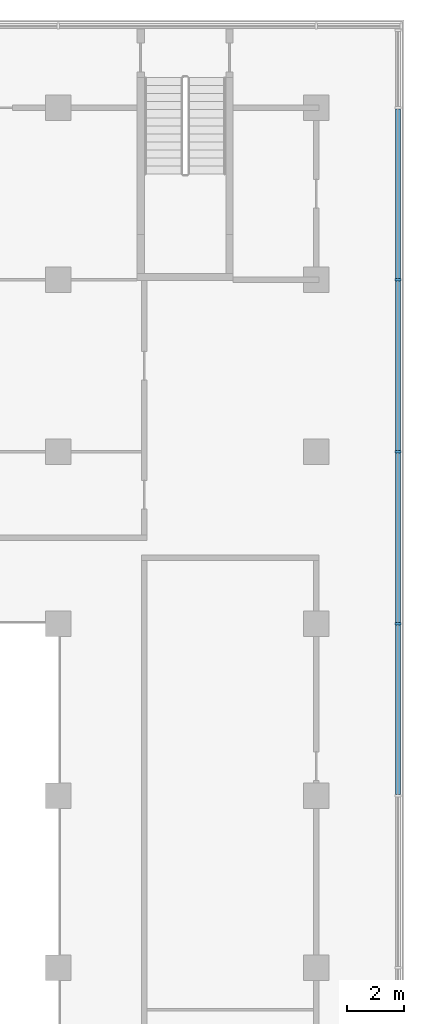
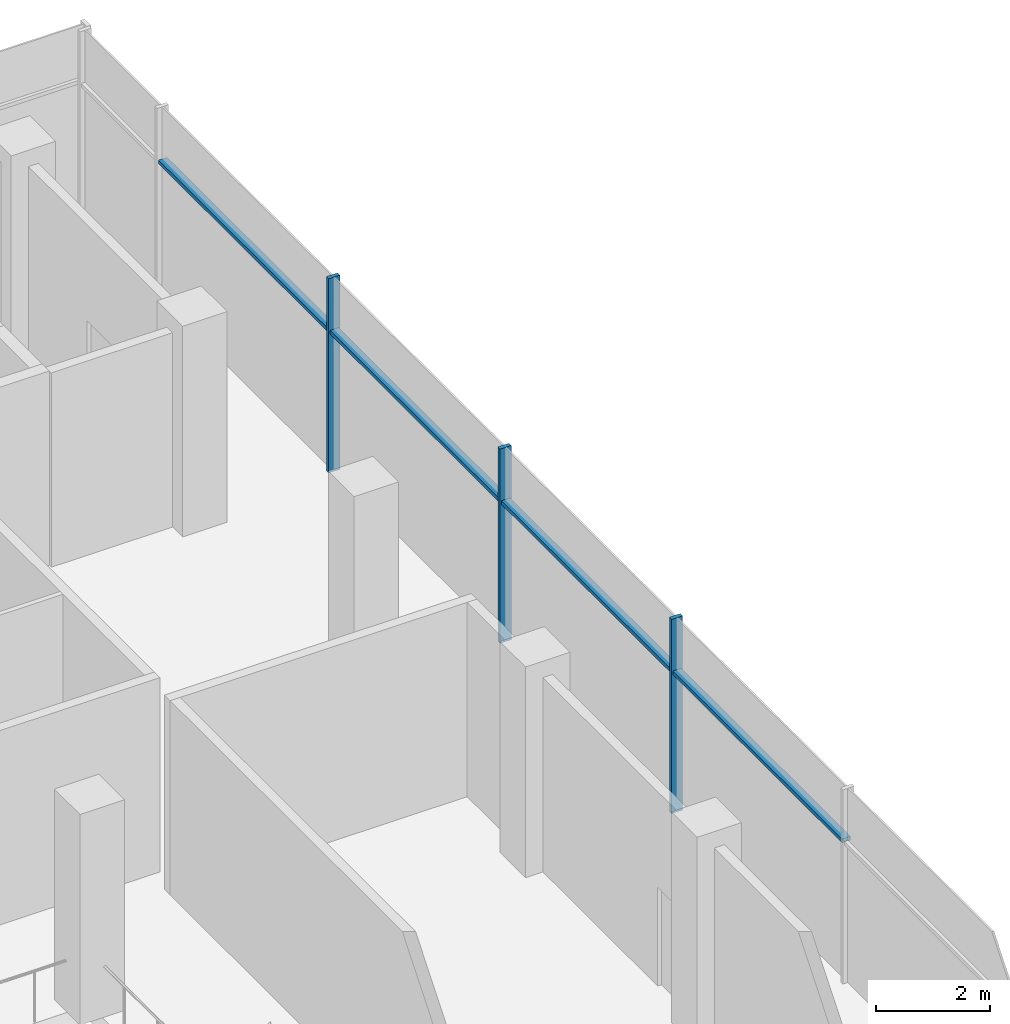
# One storey, part 6 of 22: 7 members, 1 element without a shape of its own.
"""IFC4 building model written with IfcOpenShell, lengths in metres."""

from ifc_helpers import new_model, si_unit, direction, frame, origin, origin_2d, place, context, subcontext, project, spatial, rectangle, extrude, material, material_profile, profile_set, type_object, element, aggregate, save


model = new_model("IFC4")

# Units and contexts
model_context = context("Model", 3, precision=1e-05, world=origin(), true_north=direction((0.0, 1.0)))
body_context = subcontext(model_context, "Body", "Model", "MODEL_VIEW")
ifc_project = project(units=[si_unit("LENGTHUNIT", "METRE"), si_unit("AREAUNIT", "SQUARE_METRE"), si_unit("VOLUMEUNIT", "CUBIC_METRE"), si_unit("PLANEANGLEUNIT", "RADIAN"), si_unit("MASSUNIT", "GRAM", prefix="KILO")], contexts=[model_context])

# Site, building, storey
site_placement = place(None, origin())
site = spatial("IfcSite", under=ifc_project, at=site_placement, CompositionType="ELEMENT")
building_placement = place(site_placement, origin())
building = spatial("IfcBuilding", under=site, at=building_placement, Name="Finial Court Residences", CompositionType="ELEMENT")
storey_placement = place(building_placement, frame((0.0, 0.0, 23.5)))
storey = spatial("IfcBuildingStorey", under=building, at=storey_placement, Name="L04", CompositionType="ELEMENT", Elevation=23.5)

# Curtain wall, members
ifc_material = material(Name="Bronze anodised aluminium", Category="aluminium")
curtain_wall_type = type_object("IfcCurtainWallType", Name="Podium curtain wall", PredefinedType="NOTDEFINED", material=ifc_material)
curtain_wall_placement = place(storey_placement, origin())
curtain_wall = element("IfcCurtainWall", 1, at=curtain_wall_placement, inside=storey, type_object=curtain_wall_type, Name="E-L04-CW-E2", PredefinedType="NOTDEFINED")
ifc_material_profile_1 = material_profile(ifc_material, rectangle(XDim=0.22509765625, YDim=0.080078125, at=origin_2d()), Name="CW5 mullion 80 x 225")
ifc_profile_set_1 = profile_set([ifc_material_profile_1], Name="Bronze anodised aluminium")
member_type_1 = type_object("IfcMemberType", Name="CW5 mullion 80 x 225", PredefinedType="MULLION", material=ifc_profile_set_1)
member_1_placement = place(storey_placement, frame((61.35009765625, 13.5, 0.0), z_axis=(0.0, 0.0, 1.0), x_axis=(-1.0, 0.0, 0.0)))
member_1 = element("IfcMember", 2, at=member_1_placement, type_object=member_type_1, Name="CW5 mullion 8", PredefinedType="MULLION", context=body_context, shape_type="SweptSolid", body=[
    extrude(rectangle(XDim=0.22509765625, YDim=0.080078125, at=origin_2d()), origin(), (0.0, 0.0, 1.0), 4.14990234375),
])
member_2_placement = place(storey_placement, frame((61.35009765625, 19.5, 0.0), z_axis=(0.0, 0.0, 1.0), x_axis=(-1.0, 0.0, 0.0)))
member_2 = element("IfcMember", 3, at=member_2_placement, type_object=member_type_1, Name="CW5 mullion 9", PredefinedType="MULLION", context=body_context, shape_type="SweptSolid", body=[
    extrude(rectangle(XDim=0.22509765625, YDim=0.080078125, at=origin_2d()), origin(), (0.0, 0.0, 1.0), 4.14990234375),
])
member_3_placement = place(storey_placement, frame((61.35009765625, 25.5, 0.0), z_axis=(0.0, 0.0, 1.0), x_axis=(-1.0, 0.0, 0.0)))
member_3 = element("IfcMember", 4, at=member_3_placement, type_object=member_type_1, Name="CW5 mullion 10", PredefinedType="MULLION", context=body_context, shape_type="SweptSolid", body=[
    extrude(rectangle(XDim=0.22509765625, YDim=0.080078125, at=origin_2d()), origin(), (0.0, 0.0, 1.0), 4.14990234375),
])
ifc_material_profile_2 = material_profile(ifc_material, rectangle(XDim=0.175048828125, YDim=0.080078125, at=origin_2d()), Name="CW5 transom 80 x 175")
ifc_profile_set_2 = profile_set([ifc_material_profile_2], Name="Bronze anodised aluminium")
member_type_2 = type_object("IfcMemberType", Name="CW5 transom 80 x 175", PredefinedType="USERDEFINED", material=ifc_profile_set_2)
member_4_placement = place(storey_placement, frame((61.35009765625, 7.5400390625, 3.0), z_axis=(0.0, 1.0, 0.0), x_axis=(-1.0, 0.0, 0.0)))
member_4 = element("IfcMember", 5, at=member_4_placement, type_object=member_type_2, Name="CW5 transom 7.1", ObjectType="TRANSOM", PredefinedType="USERDEFINED", context=body_context, shape_type="SweptSolid", body=[
    extrude(rectangle(XDim=0.175048828125, YDim=0.080078125, at=origin_2d()), origin(), (0.0, 0.0, 1.0), 5.919921875),
])
member_5_placement = place(storey_placement, frame((61.35009765625, 13.5400390625, 3.0), z_axis=(0.0, 1.0, 0.0), x_axis=(-1.0, 0.0, 0.0)))
member_5 = element("IfcMember", 6, at=member_5_placement, type_object=member_type_2, Name="CW5 transom 8.1", ObjectType="TRANSOM", PredefinedType="USERDEFINED", context=body_context, shape_type="SweptSolid", body=[
    extrude(rectangle(XDim=0.175048828125, YDim=0.080078125, at=origin_2d()), origin(), (0.0, 0.0, 1.0), 5.919921875),
])
member_6_placement = place(storey_placement, frame((61.35009765625, 19.5400390625, 3.0), z_axis=(0.0, 1.0, 0.0), x_axis=(-1.0, 0.0, 0.0)))
member_6 = element("IfcMember", 7, at=member_6_placement, type_object=member_type_2, Name="CW5 transom 9.1", ObjectType="TRANSOM", PredefinedType="USERDEFINED", context=body_context, shape_type="SweptSolid", body=[
    extrude(rectangle(XDim=0.175048828125, YDim=0.080078125, at=origin_2d()), origin(), (0.0, 0.0, 1.0), 5.919921875),
])
member_7_placement = place(storey_placement, frame((61.35009765625, 25.5400390625, 3.0), z_axis=(0.0, 1.0, 0.0), x_axis=(-1.0, 0.0, 0.0)))
member_7 = element("IfcMember", 8, at=member_7_placement, type_object=member_type_2, Name="CW5 transom 10.1", ObjectType="TRANSOM", PredefinedType="USERDEFINED", context=body_context, shape_type="SweptSolid", body=[
    extrude(rectangle(XDim=0.175048828125, YDim=0.080078125, at=origin_2d()), origin(), (0.0, 0.0, 1.0), 5.919921875),
])
aggregate(curtain_wall, [member_1, member_2, member_3, member_4, member_5, member_6, member_7])

save(model, "model.ifc")
